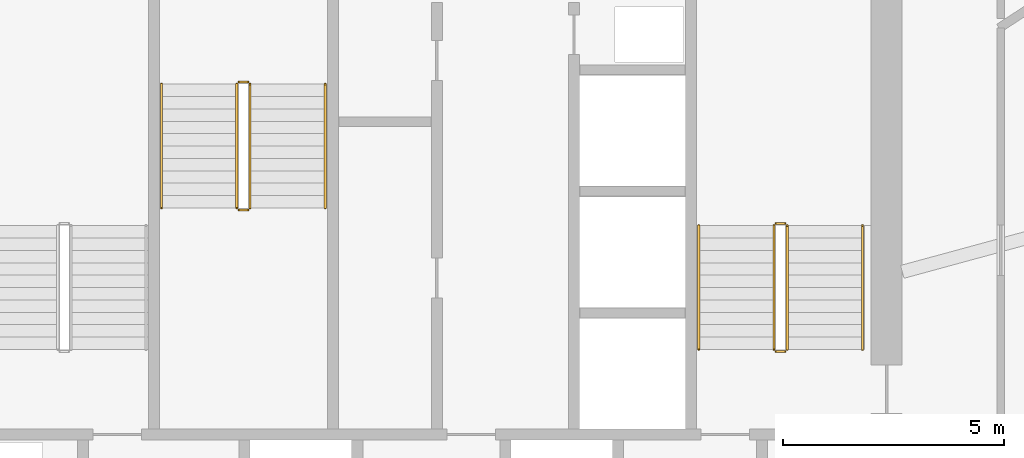
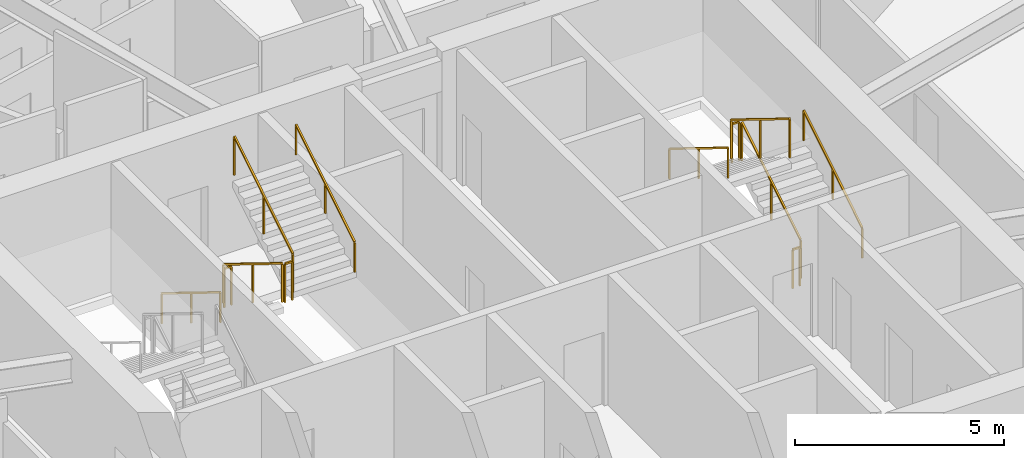
# One storey, part 34 of 35: 12 railings.
"""IFC4 building model written with IfcOpenShell, lengths in metres."""

import ifcopenshell
import ifcopenshell.guid

model = None  # the IFC model being written
_history = None  # IfcOwnerHistory: only IFC2X3 demands one
_inside = {}  # id of a spatial element -> (the spatial element, [elements in it])
_under = {}  # id of a project, library or spatial element -> (it, [spatial elements below it])
_declared = {}  # id of a project -> (the project, [libraries it declares])
_typed = {}  # id of a type object -> (the type object, [elements of that type])
_made_of = {}  # id of a material, layer set ... -> (it, [elements and type objects made of it])


def new_model(schema):
    """Start an empty IFC model of exactly this schema.

    Asked for "IFC4X3", IfcOpenShell would pick the latest addendum, in which some entities
    have other attributes; the version numbers below select the first issue.
    IFC2X3 requires an IfcOwnerHistory on every rooted entity: one is made here for all.
    """
    global model, _history
    if schema == "IFC4X3":
        model = ifcopenshell.file(schema_version=(4, 3, 0, 0))
    else:
        model = ifcopenshell.file(schema=schema)
    _inside.clear()
    _under.clear()
    _declared.clear()
    _typed.clear()
    _made_of.clear()
    _history = None
    if model.schema == "IFC2X3":
        org = make("IfcOrganization", Name="unknown")
        user = make(
            "IfcPersonAndOrganization",
            ThePerson=make("IfcPerson", FamilyName="unknown"),
            TheOrganization=org,
        )
        app = make(
            "IfcApplication",
            ApplicationDeveloper=org,
            Version="unknown",
            ApplicationFullName="unknown",
            ApplicationIdentifier="unknown",
        )
        _history = make(
            "IfcOwnerHistory",
            OwningUser=user,
            OwningApplication=app,
            ChangeAction="ADDED",
            CreationDate=0,
        )
    return model


def make(cls, **values):
    """One entity of the class cls with the attributes given. An attribute that is None is left unset."""
    return model.create_entity(
        cls, **{name: value for name, value in values.items() if value is not None}
    )


def rooted(cls, **values):
    """An entity with a GlobalId (a new one), such as an element, a storey or a relation."""
    return make(cls, GlobalId=ifcopenshell.guid.new(), OwnerHistory=_history, **values)


def si_unit(unit_type, name, prefix=None):
    """IfcSIUnit, for example si_unit("LENGTHUNIT", "METRE", prefix="MILLI")."""
    return make("IfcSIUnit", UnitType=unit_type, Prefix=prefix, Name=name)


def assignment(units):
    """IfcUnitAssignment: the units of a project."""
    return None if units is None else make("IfcUnitAssignment", Units=units)


def point(xyz):
    """IfcCartesianPoint."""
    return None if xyz is None else make("IfcCartesianPoint", Coordinates=xyz)


def direction(xyz):
    """IfcDirection."""
    return None if xyz is None else make("IfcDirection", DirectionRatios=xyz)


def frame(location, z_axis=None, x_axis=None):
    """IfcAxis2Placement3D, a coordinate frame: its origin and axes. An axis left out is left unset."""
    return make(
        "IfcAxis2Placement3D",
        Location=point(location),
        Axis=direction(z_axis),
        RefDirection=direction(x_axis),
    )


def frame_2d(location, x_axis=None):
    """IfcAxis2Placement2D, a coordinate frame in the plane: its origin and x axis."""
    return make(
        "IfcAxis2Placement2D", Location=point(location), RefDirection=direction(x_axis)
    )


def origin():
    """The frame at (0, 0, 0) with its axes left unset."""
    return frame((0.0, 0.0, 0.0))


def origin_2d():
    """The frame at (0, 0) in the plane with its x axis left unset."""
    return frame_2d((0.0, 0.0))


def place(relative_to, where):
    """IfcLocalPlacement: puts the frame where relative to a parent placement (None: the world)."""
    return make(
        "IfcLocalPlacement", PlacementRelTo=relative_to, RelativePlacement=where
    )


def context(
    kind, dimensions, precision=None, world=None, true_north=None, identifier=None
):
    """IfcGeometricRepresentationContext, for example the 3D "Model" context."""
    return make(
        "IfcGeometricRepresentationContext",
        ContextIdentifier=identifier,
        ContextType=kind,
        CoordinateSpaceDimension=dimensions,
        Precision=precision,
        WorldCoordinateSystem=world,
        TrueNorth=true_north,
    )


def subcontext(parent, identifier, kind, view, scale=None):
    """IfcGeometricRepresentationSubContext, for example "Body" below "Model"."""
    return make(
        "IfcGeometricRepresentationSubContext",
        ContextIdentifier=identifier,
        ContextType=kind,
        ParentContext=parent,
        TargetScale=scale,
        TargetView=view,
    )


def project(units=None, contexts=None):
    """IfcProject with its units and contexts."""
    return rooted(
        "IfcProject",
        Name="project",
        RepresentationContexts=contexts,
        UnitsInContext=assignment(units),
    )


def spatial(cls, under=None, at=None, **own):
    """A site, building, storey or space (cls), placed at a placement, below another one or the project."""
    s = rooted(cls, ObjectPlacement=at, **own)
    if under is not None:
        _under.setdefault(under.id(), (under, []))[1].append(s)
    return s


def profile(cls, at=None, kind="AREA", **sizes):
    """A parametric profile (cls). Its sizes go by their IFC names, for example OverallWidth=200.0."""
    return make(cls, ProfileType=kind, Position=at, **sizes)


def rectangle(**sizes):
    """IfcRectangleProfileDef."""
    return profile("IfcRectangleProfileDef", **sizes)


def extrude(swept, where, along, depth):
    """IfcExtrudedAreaSolid: the profile swept, set in the frame where, extruded along a direction by depth."""
    return make(
        "IfcExtrudedAreaSolid",
        SweptArea=swept,
        Position=where,
        ExtrudedDirection=direction(along),
        Depth=depth,
    )


def shape(context_of_items, identifier, shape_type, items):
    """IfcShapeRepresentation: the items that make up one representation, for example the "Body"."""
    return make(
        "IfcShapeRepresentation",
        ContextOfItems=context_of_items,
        RepresentationIdentifier=identifier,
        RepresentationType=shape_type,
        Items=items,
    )


def material(Name=None, Category=None):
    """IfcMaterial."""
    return make("IfcMaterial", Name=Name, Category=Category)


def made_of(thing, what):
    """Note that an element or type object is made of a material, layer set ...; save() writes the relation."""
    if what is not None:
        _made_of.setdefault(what.id(), (what, []))[1].append(thing)
    return thing


def type_object(cls, material=None, **own):
    """A type object (cls), such as IfcWallType, which elements share."""
    return made_of(rooted(cls, **own), material)


def element(
    cls,
    number,
    at=None,
    inside=None,
    cuts=None,
    type_object=None,
    material=None,
    context=None,
    identifier="Body",
    shape_type=None,
    held_by="IfcProductDefinitionShape",
    body=None,
    shapes=None,
    **own,
):
    """One element of the class cls, such as IfcWall. Its Tag is "e" and its number.

    at: its placement. inside: the storey or other place that contains it. cuts: it is an
    opening in that element (IfcRelVoidsElement). A single representation is given by context,
    identifier, shape_type and body (its items); several are given by shapes. held_by: the class
    of the entity that holds the representations. save() writes the other relations.
    """
    e = rooted(cls, Tag="e%d" % number, ObjectPlacement=at, **own)
    if body is not None:
        shapes = [shape(context, identifier, shape_type, body)]
    if shapes is not None:
        e.Representation = make(held_by, Representations=shapes)
    if inside is not None:
        _inside.setdefault(inside.id(), (inside, []))[1].append(e)
    if cuts is not None:
        rooted(
            "IfcRelVoidsElement", RelatingBuildingElement=cuts, RelatedOpeningElement=e
        )
    if type_object is not None:
        _typed.setdefault(type_object.id(), (type_object, []))[1].append(e)
    return made_of(e, material)


def aggregate(whole, parts):
    """IfcRelAggregates: a whole, such as a stair, and the parts it consists of."""
    return rooted("IfcRelAggregates", RelatingObject=whole, RelatedObjects=parts)


def save(model, path):
    """Write the relations noted so far, then the file.

    IfcRelAggregates (storeys below a building ...), IfcRelContainedInSpatialStructure (elements
    in a storey), IfcRelDefinesByType, IfcRelAssociatesMaterial and IfcRelDeclares: one each for
    every whole, place, type object, material and project.
    """
    for whole, parts in _under.values():
        aggregate(whole, parts)
    for where, things in _inside.values():
        rooted(
            "IfcRelContainedInSpatialStructure",
            RelatedElements=things,
            RelatingStructure=where,
        )
    for kind, things in _typed.values():
        rooted("IfcRelDefinesByType", RelatedObjects=things, RelatingType=kind)
    for what, things in _made_of.values():
        rooted("IfcRelAssociatesMaterial", RelatedObjects=things, RelatingMaterial=what)
    for by, libraries in _declared.values():
        rooted("IfcRelDeclares", RelatingContext=by, RelatedDefinitions=libraries)
    model.write(path)


model = new_model("IFC4")

# Units and contexts
model_context = context("Model", 3, precision=1e-05, world=origin(), true_north=direction((0.0, 1.0)))
body_context = subcontext(model_context, "Body", "Model", "MODEL_VIEW")
ifc_project = project(units=[si_unit("LENGTHUNIT", "METRE"), si_unit("AREAUNIT", "SQUARE_METRE"), si_unit("VOLUMEUNIT", "CUBIC_METRE"), si_unit("PLANEANGLEUNIT", "RADIAN"), si_unit("MASSUNIT", "GRAM", prefix="KILO")], contexts=[model_context])

# Site, building, storey
site_placement = place(None, origin())
site = spatial("IfcSite", under=ifc_project, at=site_placement, CompositionType="ELEMENT")
building_placement = place(site_placement, origin())
building = spatial("IfcBuilding", under=site, at=building_placement, Name="Zuhravey Tower", CompositionType="ELEMENT")
storey_placement = place(building_placement, frame((0.0, 0.0, 122.800048828125)))
storey = spatial("IfcBuildingStorey", under=building, at=storey_placement, Name="L30", CompositionType="ELEMENT", Elevation=122.800048828125)

# Railings
ifc_material_1 = material(Name="Brushed stainless steel", Category="steel")
railing_type_1 = type_object("IfcRailingType", Name="Stair Wall Handrail 900", PredefinedType="HANDRAIL", material=ifc_material_1)
railing_1_placement = place(storey_placement, frame((45.949951171875, 33.199951171875, 0.172607421875)))
element("IfcRailing", 1, at=railing_1_placement, inside=storey, type_object=railing_type_1, Name="L30 ST2 stair handrail 1", PredefinedType="HANDRAIL", context=body_context, shape_type="SweptSolid", body=[
    extrude(rectangle(XDim=0.048095703125, YDim=0.048095703125, at=origin_2d()), frame((0.0, 0.001708984375, 0.876953125), z_axis=(0.0, 0.851089632645, 0.525020415988), x_axis=(-1.0, 0.0, 0.0)), (0.0, 0.0, 1.0), 3.285888671875),
    extrude(rectangle(XDim=0.0419921875, YDim=0.0419921875, at=origin_2d()), origin(), (0.0, 0.0, 1.0), 0.849853515625),
    extrude(rectangle(XDim=0.0419921875, YDim=0.0419921875, at=origin_2d()), frame((0.0, 1.39990234375, 0.86376953125)), (0.0, 0.0, 1.0), 0.849853515625),
    extrude(rectangle(XDim=0.0419921875, YDim=0.0419921875, at=origin_2d()), frame((0.0, 2.800048828125, 1.727294921875)), (0.0, 0.0, 1.0), 0.849853515625),
])
for number, where, name in (
    (2, (42.25, 36.0, 2.07275390625), "L30 ST2 stair handrail 2"),
    (3, (30.10009765625, 39.199951171875, 0.172607421875), "L30 ST3 stair handrail 1"),
):
    element("IfcRailing", number, at=place(storey_placement, frame(where)), inside=storey, type_object=railing_type_1, Name=name, PredefinedType="HANDRAIL", context=body_context, shape_type="SweptSolid", body=[
        extrude(rectangle(XDim=0.048095703125, YDim=0.048095703125, at=origin_2d()), frame((0.0, -0.001708984375, 0.876953125), z_axis=(0.0, -0.851089632645, 0.525020415988), x_axis=(1.0, 0.0, 0.0)), (0.0, 0.0, 1.0), 3.285888671875),
        extrude(rectangle(XDim=0.0419921875, YDim=0.0419921875, at=origin_2d()), origin(), (0.0, 0.0, 1.0), 0.849853515625),
        extrude(rectangle(XDim=0.0419921875, YDim=0.0419921875, at=origin_2d()), frame((0.0, -1.39990234375, 0.86376953125)), (0.0, 0.0, 1.0), 0.849853515625),
        extrude(rectangle(XDim=0.0419921875, YDim=0.0419921875, at=origin_2d()), frame((0.0, -2.800048828125, 1.727294921875)), (0.0, 0.0, 1.0), 0.849853515625),
    ])
railing_2_placement = place(storey_placement, frame((33.800048828125, 36.39990234375, 2.07275390625)))
element("IfcRailing", 4, at=railing_2_placement, inside=storey, type_object=railing_type_1, Name="L30 ST3 stair handrail 2", PredefinedType="HANDRAIL", context=body_context, shape_type="SweptSolid", body=[
    extrude(rectangle(XDim=0.048095703125, YDim=0.048095703125, at=origin_2d()), frame((0.0, 0.001708984375, 0.876953125), z_axis=(0.0, 0.851089632645, 0.525020415988), x_axis=(-1.0, 0.0, 0.0)), (0.0, 0.0, 1.0), 3.285888671875),
    extrude(rectangle(XDim=0.0419921875, YDim=0.0419921875, at=origin_2d()), origin(), (0.0, 0.0, 1.0), 0.849853515625),
    extrude(rectangle(XDim=0.0419921875, YDim=0.0419921875, at=origin_2d()), frame((0.0, 1.39990234375, 0.86376953125)), (0.0, 0.0, 1.0), 0.849853515625),
    extrude(rectangle(XDim=0.0419921875, YDim=0.0419921875, at=origin_2d()), frame((0.0, 2.800048828125, 1.727294921875)), (0.0, 0.0, 1.0), 0.849853515625),
])
ifc_material_2 = material(Name="Painted tubular steel", Category="steel")
railing_type_2 = type_object("IfcRailingType", Name="Stair Well Guardrail 1150", PredefinedType="GUARDRAIL", material=ifc_material_2)
railing_3_placement = place(storey_placement, frame((44.25, 33.199951171875, 0.172607421875)))
element("IfcRailing", 5, at=railing_3_placement, inside=storey, type_object=railing_type_2, Name="L30 ST2 stair guard 1", PredefinedType="GUARDRAIL", context=body_context, shape_type="SweptSolid", body=[
    extrude(rectangle(XDim=0.048095703125, YDim=0.048095703125, at=origin_2d()), frame((0.0, 0.001708984375, 1.126953125), z_axis=(0.0, 0.851089632645, 0.525020415988), x_axis=(-1.0, 0.0, 0.0)), (0.0, 0.0, 1.0), 3.285888671875),
    extrude(rectangle(XDim=0.0419921875, YDim=0.0419921875, at=origin_2d()), origin(), (0.0, 0.0, 1.0), 1.099853515625),
    extrude(rectangle(XDim=0.0419921875, YDim=0.0419921875, at=origin_2d()), frame((0.0, 1.39990234375, 0.86376953125)), (0.0, 0.0, 1.0), 1.099853515625),
    extrude(rectangle(XDim=0.0419921875, YDim=0.0419921875, at=origin_2d()), frame((0.0, 2.800048828125, 1.727294921875)), (0.0, 0.0, 1.0), 1.099853515625),
])
railing_4_placement = place(storey_placement, frame((44.199951171875, 36.050048828125, 1.89990234375)))
element("IfcRailing", 6, at=railing_4_placement, inside=storey, type_object=railing_type_2, Name="L30 ST2 stair guard 2", PredefinedType="GUARDRAIL", context=body_context, shape_type="SweptSolid", body=[
    extrude(rectangle(XDim=0.048095703125, YDim=0.048095703125, at=origin_2d()), frame((-0.001953125, 0.0, 1.1259765625), z_axis=(-1.0, 0.0, 0.0), x_axis=(0.0, -1.0, 0.0)), (0.0, 0.0, 1.0), 0.196044921875),
    extrude(rectangle(XDim=0.0419921875, YDim=0.0419921875, at=origin_2d()), origin(), (0.0, 0.0, 1.0), 1.099853515625),
    extrude(rectangle(XDim=0.0419921875, YDim=0.0419921875, at=origin_2d()), frame((-0.199951171875, 0.0, 0.0)), (0.0, 0.0, 1.0), 1.099853515625),
])
railing_5_placement = place(storey_placement, frame((43.949951171875, 36.0, 2.07275390625)))
element("IfcRailing", 7, at=railing_5_placement, inside=storey, type_object=railing_type_2, Name="L30 ST2 stair guard 3", PredefinedType="GUARDRAIL", context=body_context, shape_type="SweptSolid", body=[
    extrude(rectangle(XDim=0.048095703125, YDim=0.048095703125, at=origin_2d()), frame((0.0, -0.001708984375, 1.126953125), z_axis=(0.0, -0.851089632645, 0.525020415988), x_axis=(1.0, 0.0, 0.0)), (0.0, 0.0, 1.0), 3.285888671875),
    extrude(rectangle(XDim=0.0419921875, YDim=0.0419921875, at=origin_2d()), origin(), (0.0, 0.0, 1.0), 1.099853515625),
    extrude(rectangle(XDim=0.0419921875, YDim=0.0419921875, at=origin_2d()), frame((0.0, -1.39990234375, 0.86376953125)), (0.0, 0.0, 1.0), 1.099853515625),
    extrude(rectangle(XDim=0.0419921875, YDim=0.0419921875, at=origin_2d()), frame((0.0, -2.800048828125, 1.727294921875)), (0.0, 0.0, 1.0), 1.099853515625),
])
railing_6_placement = place(storey_placement, frame((44.199951171875, 33.14990234375, 0.0)))
element("IfcRailing", 8, at=railing_6_placement, inside=storey, type_object=railing_type_2, Name="L30 ST2 stair guard 4", PredefinedType="GUARDRAIL", context=body_context, shape_type="SweptSolid", body=[
    extrude(rectangle(XDim=0.048095703125, YDim=0.048095703125, at=origin_2d()), frame((-0.001953125, 0.0, 1.1259765625), z_axis=(-1.0, 0.0, 0.0), x_axis=(0.0, -1.0, 0.0)), (0.0, 0.0, 1.0), 0.196044921875),
    extrude(rectangle(XDim=0.0419921875, YDim=0.0419921875, at=origin_2d()), origin(), (0.0, 0.0, 1.0), 1.099853515625),
    extrude(rectangle(XDim=0.0419921875, YDim=0.0419921875, at=origin_2d()), frame((-0.199951171875, 0.0, 0.0)), (0.0, 0.0, 1.0), 1.099853515625),
])
railing_7_placement = place(storey_placement, frame((31.800048828125, 39.199951171875, 0.172607421875)))
element("IfcRailing", 9, at=railing_7_placement, inside=storey, type_object=railing_type_2, Name="L30 ST3 stair guard 1", PredefinedType="GUARDRAIL", context=body_context, shape_type="SweptSolid", body=[
    extrude(rectangle(XDim=0.048095703125, YDim=0.048095703125, at=origin_2d()), frame((0.0, -0.001708984375, 1.126953125), z_axis=(0.0, -0.851089632645, 0.525020415988), x_axis=(1.0, 0.0, 0.0)), (0.0, 0.0, 1.0), 3.285888671875),
    extrude(rectangle(XDim=0.0419921875, YDim=0.0419921875, at=origin_2d()), origin(), (0.0, 0.0, 1.0), 1.099853515625),
    extrude(rectangle(XDim=0.0419921875, YDim=0.0419921875, at=origin_2d()), frame((0.0, -1.39990234375, 0.86376953125)), (0.0, 0.0, 1.0), 1.099853515625),
    extrude(rectangle(XDim=0.0419921875, YDim=0.0419921875, at=origin_2d()), frame((0.0, -2.800048828125, 1.727294921875)), (0.0, 0.0, 1.0), 1.099853515625),
])
railing_8_placement = place(storey_placement, frame((31.85009765625, 36.35009765625, 1.89990234375)))
element("IfcRailing", 10, at=railing_8_placement, inside=storey, type_object=railing_type_2, Name="L30 ST3 stair guard 2", PredefinedType="GUARDRAIL", context=body_context, shape_type="SweptSolid", body=[
    extrude(rectangle(XDim=0.048095703125, YDim=0.048095703125, at=origin_2d()), frame((0.001953125, 0.0, 1.1259765625), z_axis=(1.0, 0.0, 0.0), x_axis=(0.0, 1.0, 0.0)), (0.0, 0.0, 1.0), 0.196044921875),
    extrude(rectangle(XDim=0.0419921875, YDim=0.0419921875, at=origin_2d()), origin(), (0.0, 0.0, 1.0), 1.099853515625),
    extrude(rectangle(XDim=0.0419921875, YDim=0.0419921875, at=origin_2d()), frame((0.199951171875, 0.0, 0.0)), (0.0, 0.0, 1.0), 1.099853515625),
])
railing_9_placement = place(storey_placement, frame((32.10009765625, 36.39990234375, 2.07275390625)))
element("IfcRailing", 11, at=railing_9_placement, inside=storey, type_object=railing_type_2, Name="L30 ST3 stair guard 3", PredefinedType="GUARDRAIL", context=body_context, shape_type="SweptSolid", body=[
    extrude(rectangle(XDim=0.048095703125, YDim=0.048095703125, at=origin_2d()), frame((0.0, 0.001708984375, 1.126953125), z_axis=(0.0, 0.851089632645, 0.525020415988), x_axis=(-1.0, 0.0, 0.0)), (0.0, 0.0, 1.0), 3.285888671875),
    extrude(rectangle(XDim=0.0419921875, YDim=0.0419921875, at=origin_2d()), origin(), (0.0, 0.0, 1.0), 1.099853515625),
    extrude(rectangle(XDim=0.0419921875, YDim=0.0419921875, at=origin_2d()), frame((0.0, 1.39990234375, 0.86376953125)), (0.0, 0.0, 1.0), 1.099853515625),
    extrude(rectangle(XDim=0.0419921875, YDim=0.0419921875, at=origin_2d()), frame((0.0, 2.800048828125, 1.727294921875)), (0.0, 0.0, 1.0), 1.099853515625),
])
railing_10_placement = place(storey_placement, frame((31.85009765625, 39.25, 0.0)))
element("IfcRailing", 12, at=railing_10_placement, inside=storey, type_object=railing_type_2, Name="L30 ST3 stair guard 4", PredefinedType="GUARDRAIL", context=body_context, shape_type="SweptSolid", body=[
    extrude(rectangle(XDim=0.048095703125, YDim=0.048095703125, at=origin_2d()), frame((0.001953125, 0.0, 1.1259765625), z_axis=(1.0, 0.0, 0.0), x_axis=(0.0, 1.0, 0.0)), (0.0, 0.0, 1.0), 0.196044921875),
    extrude(rectangle(XDim=0.0419921875, YDim=0.0419921875, at=origin_2d()), origin(), (0.0, 0.0, 1.0), 1.099853515625),
    extrude(rectangle(XDim=0.0419921875, YDim=0.0419921875, at=origin_2d()), frame((0.199951171875, 0.0, 0.0)), (0.0, 0.0, 1.0), 1.099853515625),
])

save(model, "model.ifc")
